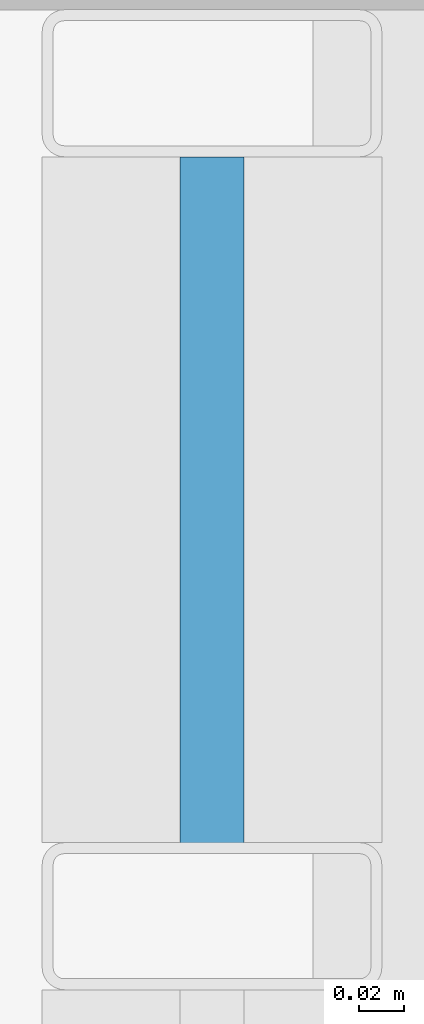
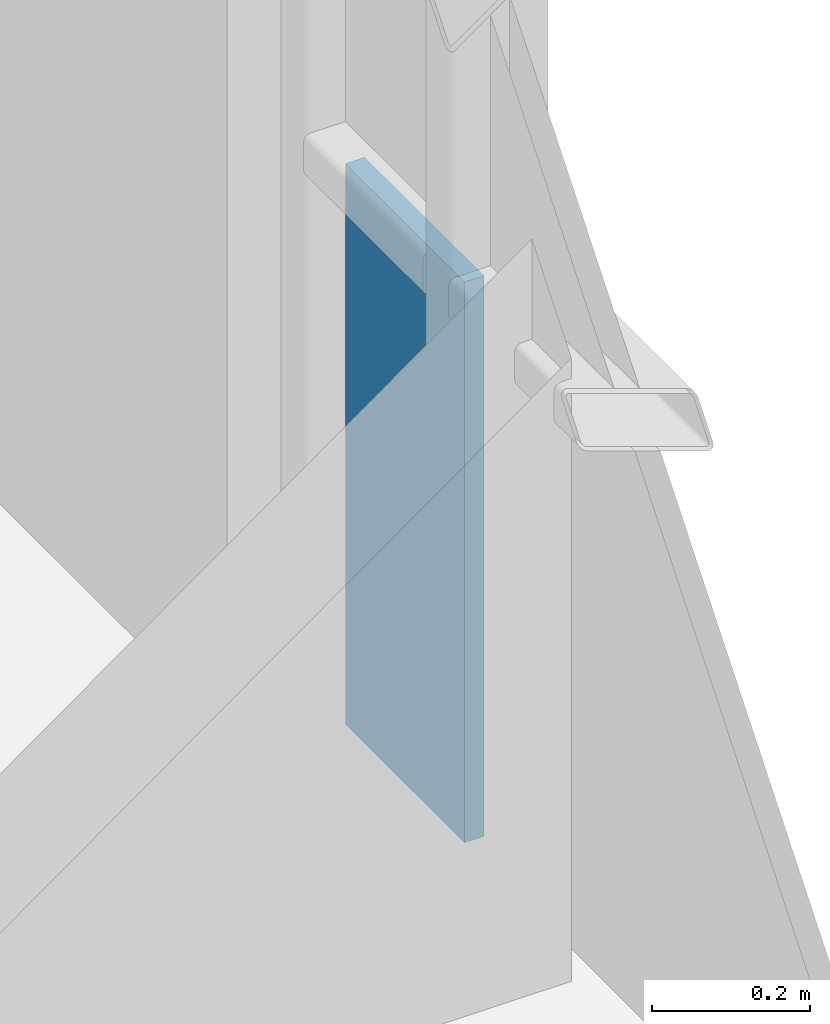
# One storey, part 30 of 40: 1 plate, 1 element without a shape of its own.
"""IFC4 building model written with IfcOpenShell, lengths in metres."""

from ifc_helpers import new_model, si_unit, direction, frame, origin, origin_2d, place, context, subcontext, project, spatial, rectangle, extrude, material, layer, layer_set, type_object, element, aggregate, save


model = new_model("IFC4")

# Units and contexts
model_context = context("Model", 3, precision=1e-05, world=origin(), true_north=direction((0.0, 1.0)))
body_context = subcontext(model_context, "Body", "Model", "MODEL_VIEW")
ifc_project = project(units=[si_unit("LENGTHUNIT", "METRE"), si_unit("AREAUNIT", "SQUARE_METRE"), si_unit("VOLUMEUNIT", "CUBIC_METRE"), si_unit("PLANEANGLEUNIT", "RADIAN"), si_unit("MASSUNIT", "GRAM", prefix="KILO")], contexts=[model_context])

# Site, building, storey
site_placement = place(None, origin())
site = spatial("IfcSite", under=ifc_project, at=site_placement, CompositionType="ELEMENT")
building_placement = place(site_placement, origin())
building = spatial("IfcBuilding", under=site, at=building_placement, Name="Brevholm Reach", CompositionType="ELEMENT")
storey_placement = place(building_placement, frame((0.0, 0.0, 37.300048828125)))
storey = spatial("IfcBuildingStorey", under=building, at=storey_placement, Name="L09", CompositionType="ELEMENT", Elevation=37.300048828125)

# Curtain wall, plate
ifc_material_1 = material(Name="Dark Anodised Aluminium 6063-T6 and Solar-Control Glass", Category="aluminium")
ifc_layer_1 = layer(ifc_material_1, 0.14990234375)
ifc_layer_set_1 = layer_set([ifc_layer_1], Name="Dark Anodised Aluminium 6063-T6 and Solar-Control Glass")
curtain_wall_type = type_object("IfcCurtainWallType", Name="CW-01", PredefinedType="NOTDEFINED", material=ifc_layer_set_1)
curtain_wall_placement = place(storey_placement, origin())
curtain_wall = element("IfcCurtainWall", 1, at=curtain_wall_placement, inside=storey, type_object=curtain_wall_type, Name="L09 Curtain Wall CW-01", PredefinedType="NOTDEFINED")
ifc_material_2 = material(Name="Dark Solar-Control Double-Glazed IGU Glass", Category="glass")
ifc_layer_2 = layer(ifc_material_2, 0.028076171875)
ifc_layer_set_2 = layer_set([ifc_layer_2], Name="Dark Solar-Control Double-Glazed IGU Glass")
plate_type = type_object("IfcPlateType", Name="CWP-GLZ-28", PredefinedType="CURTAIN_PANEL", material=ifc_layer_set_2)
plate_placement = place(storey_placement, frame((59.85009765625, 22.733642578125, 0.0), z_axis=(0.0, 0.0, 1.0), x_axis=(0.0, 1.0, 0.0)))
plate = element("IfcPlate", 2, at=plate_placement, type_object=plate_type, Name="CP-01 Glazing Panel 5.1", PredefinedType="CURTAIN_PANEL", context=body_context, shape_type="SweptSolid", body=[
    extrude(rectangle(XDim=0.302490234375, YDim=0.028076171875, at=origin_2d()), origin(), (0.0, 0.0, 1.0), 0.867431640625),
])
aggregate(curtain_wall, [plate])

save(model, "model.ifc")
